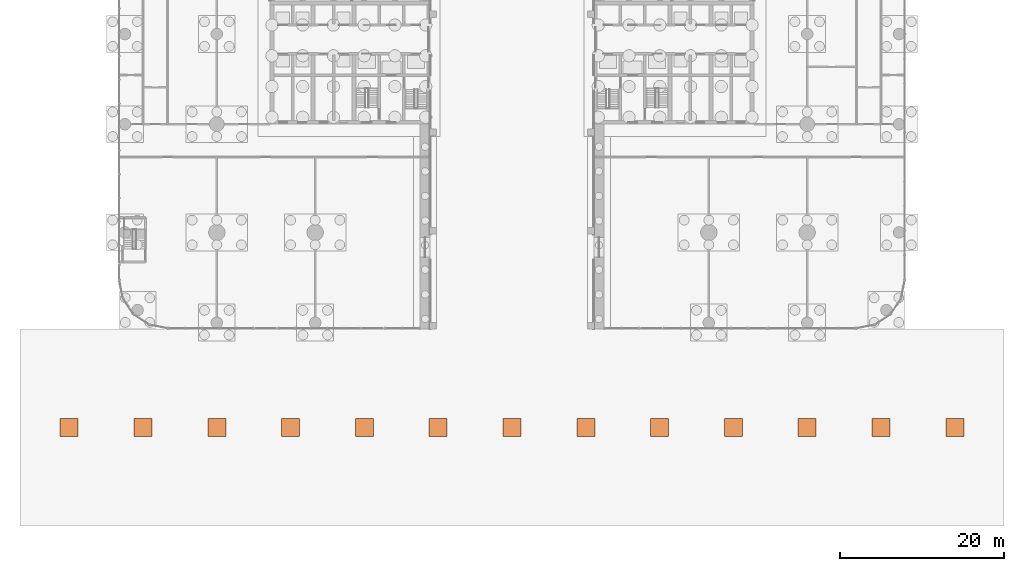
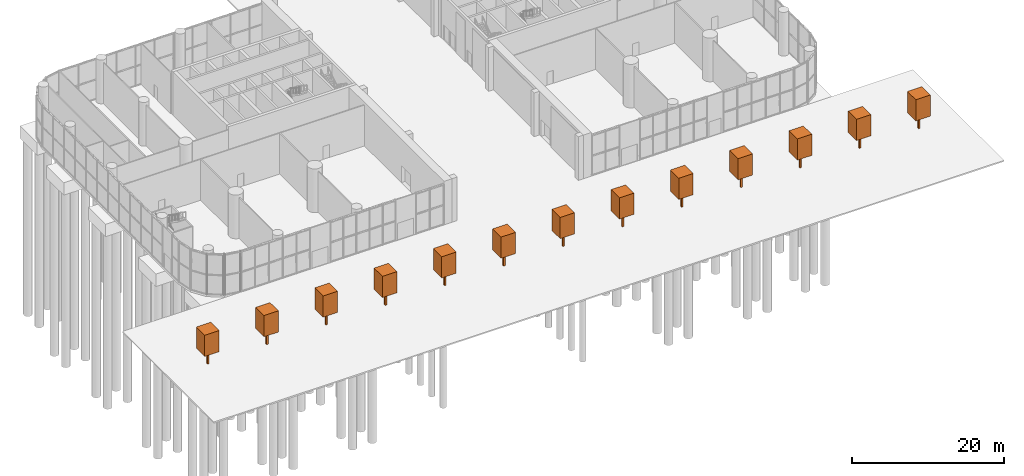
# One storey, part 26 of 26: 13 geographic elements.
"""IFC4 building model written with IfcOpenShell, lengths in metres."""

from ifc_helpers import new_model, si_unit, direction, frame, origin, origin_2d, place, context, subcontext, project, spatial, rectangle, extrude, material, element, save


model = new_model("IFC4")

# Units and contexts
model_context = context("Model", 3, precision=1e-05, world=origin(), true_north=direction((0.0, 1.0)))
body_context = subcontext(model_context, "Body", "Model", "MODEL_VIEW")
ifc_project = project(units=[si_unit("LENGTHUNIT", "METRE"), si_unit("AREAUNIT", "SQUARE_METRE"), si_unit("VOLUMEUNIT", "CUBIC_METRE"), si_unit("PLANEANGLEUNIT", "RADIAN"), si_unit("MASSUNIT", "GRAM", prefix="KILO")], contexts=[model_context])

# Site, building, storey
site_placement = place(None, origin())
site = spatial("IfcSite", under=ifc_project, at=site_placement, CompositionType="ELEMENT")
building_placement = place(site_placement, origin())
building = spatial("IfcBuilding", under=site, at=building_placement, Name="Torana Hotel and Residences", CompositionType="ELEMENT")
storey_placement = place(building_placement, origin())
storey = spatial("IfcBuildingStorey", under=building, at=storey_placement, Name="L00", CompositionType="ELEMENT", Elevation=0.0)

# Geographic elements
ifc_material = material(Name="Foliage", Category="planting")
for number, where, z_axis, x_axis, name in (
    (1, (-54.0, -52.0, 0.0), (0.0, 0.0, 1.0), (1.0, 0.0, 0.0), "Plaza tree 1"),
    (2, (-45.0, -52.0, 0.0), (0.0, 0.0, 1.0), (1.0, 0.0, 0.0), "Plaza tree 2"),
    (3, (-36.0, -52.0, 0.0), (0.0, 0.0, 1.0), (1.0, 0.0, 0.0), "Plaza tree 3"),
    (4, (-27.0, -52.0, 0.0), (0.0, 0.0, 1.0), (1.0, 0.0, 0.0), "Plaza tree 4"),
    (5, (-18.0, -52.0, 0.0), (0.0, 0.0, 1.0), (1.0, 0.0, 0.0), "Plaza tree 5"),
    (6, (-9.0, -52.0, 0.0), (0.0, 0.0, 1.0), (1.0, 0.0, 0.0), "Plaza tree 6"),
    (7, (0.0, -52.0, 0.0), (0.0, 0.0, 1.0), (1.0, 0.0, 0.0), "Plaza tree 7"),
    (8, (9.0, -52.0, 0.0), (0.0, 0.0, 1.0), (1.0, 0.0, 0.0), "Plaza tree 8"),
    (9, (18.0, -52.0, 0.0), (0.0, 0.0, 1.0), (1.0, 0.0, 0.0), "Plaza tree 9"),
    (10, (27.0, -52.0, 0.0), (0.0, 0.0, 1.0), (1.0, 0.0, 0.0), "Plaza tree 10"),
    (11, (36.0, -52.0, 0.0), (0.0, 0.0, 1.0), (1.0, 0.0, 0.0), "Plaza tree 11"),
    (12, (45.0, -52.0, 0.0), (0.0, 0.0, 1.0), (1.0, 0.0, 0.0), "Plaza tree 12"),
    (13, (54.0, -52.0, 0.0), (0.0, 0.0, 1.0), (1.0, 0.0, 0.0), "Plaza tree 13"),
):
    element("IfcGeographicElement", number, at=place(storey_placement, frame(where, z_axis=z_axis, x_axis=x_axis)), inside=storey, material=ifc_material, Name=name, ObjectType="TREE", PredefinedType="USERDEFINED", context=body_context, shape_type="SweptSolid", body=[
        extrude(rectangle(XDim=0.25, YDim=0.25, at=origin_2d()), origin(), (0.0, 0.0, 1.0), 2.199951171875),
        extrude(rectangle(XDim=2.199951171875, YDim=2.199951171875, at=origin_2d()), frame((0.0, 0.0, 2.1998291015625)), (0.0, 0.0, 1.0), 3.39990234375),
    ])

save(model, "model.ifc")
